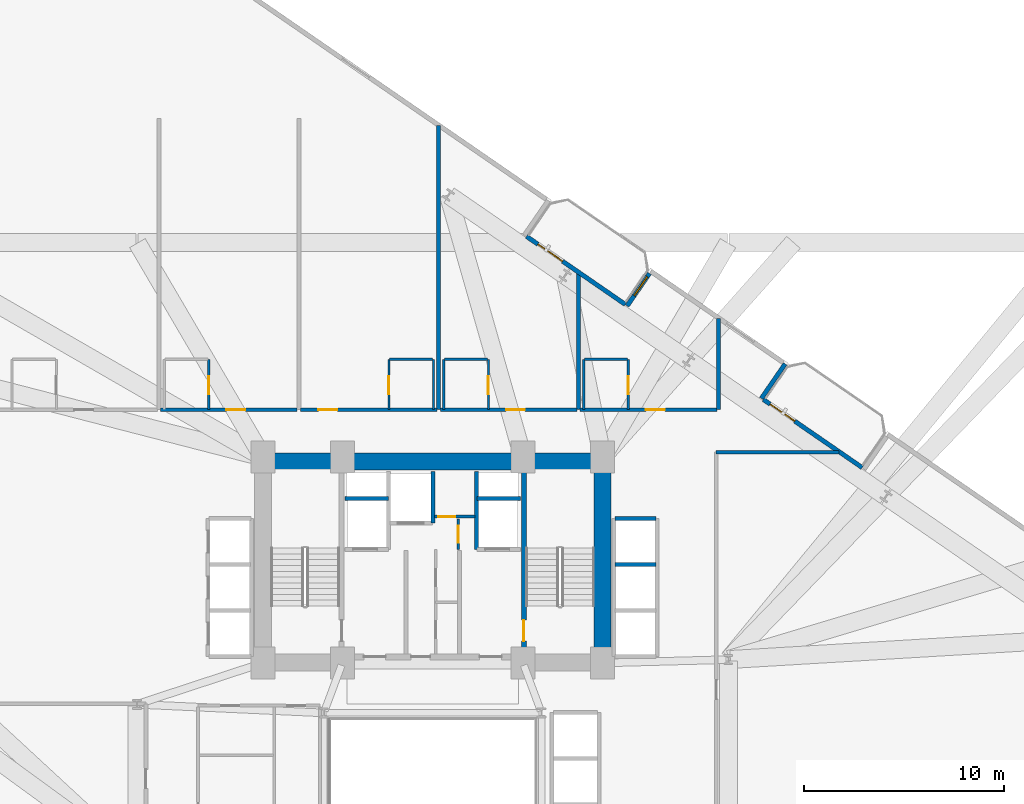
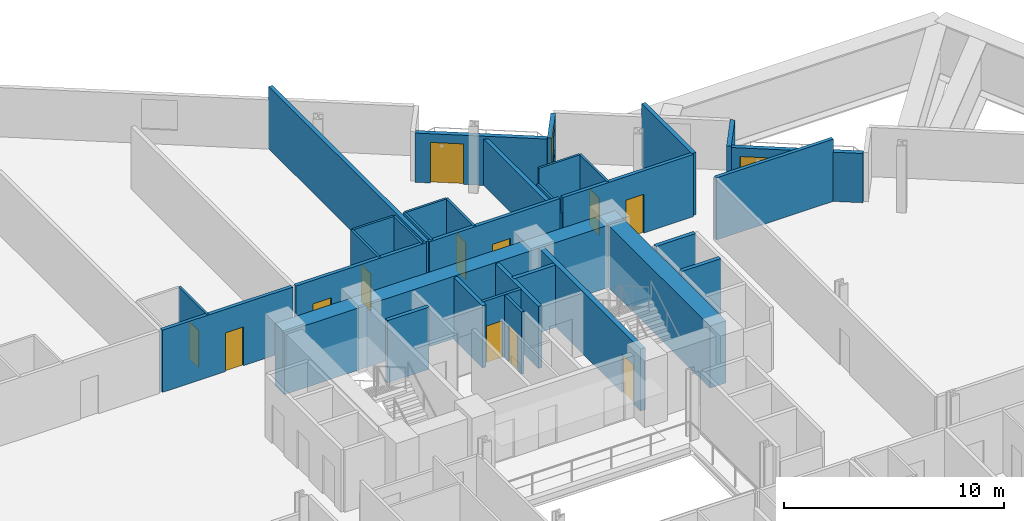
# One storey, part 21 of 26: 33 walls, 13 doors, 1 window, 14 openings.
"""IFC4 building model written with IfcOpenShell, lengths in metres."""

from ifc_helpers import new_model, si_unit, direction, frame, frame_2d, origin, place, context, subcontext, project, spatial, rectangle, extrude, material, layer, layer_set, type_object, element, fill, save


model = new_model("IFC4")

# Units and contexts
model_context = context("Model", 3, precision=1e-05, world=origin(), true_north=direction((0.0, 1.0)))
body_context = subcontext(model_context, "Body", "Model", "MODEL_VIEW")
ifc_project = project(units=[si_unit("LENGTHUNIT", "METRE"), si_unit("AREAUNIT", "SQUARE_METRE"), si_unit("VOLUMEUNIT", "CUBIC_METRE"), si_unit("PLANEANGLEUNIT", "RADIAN"), si_unit("MASSUNIT", "GRAM", prefix="KILO")], contexts=[model_context])

# Site, building, storey
site_placement = place(None, origin())
site = spatial("IfcSite", under=ifc_project, at=site_placement, CompositionType="ELEMENT")
building_placement = place(site_placement, origin())
building = spatial("IfcBuilding", under=site, at=building_placement, Name="Varnelok Gate Tower", CompositionType="ELEMENT")
storey_placement = place(building_placement, frame((0.0, 0.0, 27.0)))
storey = spatial("IfcBuildingStorey", under=building, at=storey_placement, Name="L05", CompositionType="ELEMENT", Elevation=27.0)

# Wall, opening, door
ifc_material_1 = material(Name="Concrete C45/55", Category="concrete")
ifc_layer_1 = layer(ifc_material_1, 0.219970703125)
ifc_layer_set_1 = layer_set([ifc_layer_1], Name="Concrete C45/55")
wall_type_1 = type_object("IfcWallType", Name="EW-BALC-220", PredefinedType="SOLIDWALL", material=ifc_layer_set_1)
wall_1_placement = place(storey_placement, frame((43.898193359375, 50.1015625, 0.0), z_axis=(0.0, 0.0, 1.0), x_axis=(0.823534636215, -0.567265989598, 0.0)))
wall_1 = element("IfcWall", 1, at=wall_1_placement, inside=storey, type_object=wall_type_1, Name="L05 North Terrace Envelope Wall 3", PredefinedType="SOLIDWALL", context=body_context, shape_type="SweptSolid", body=[
    extrude(rectangle(XDim=6.0, YDim=0.219970703125, at=frame_2d((3.0, 0.0))), origin(), (0.0, 0.0, 1.0), 2.72998046875),
])
opening_1_placement = place(wall_1_placement, frame((0.696044921875, 0.0, 0.0)))
opening_1 = element("IfcOpeningElement", 2, at=opening_1_placement, cuts=wall_1, Name="Opening BD-1", PredefinedType="OPENING", context=body_context, shape_type="SweptSolid", body=[
    extrude(rectangle(XDim=1.5, YDim=2.25, at=frame_2d((0.75, 1.125))), frame((0.0, 0.119873046875, 0.0), z_axis=(0.0, -1.0, 0.0), x_axis=(1.0, 0.0, 0.0)), (0.0, 0.0, 1.0), 0.239990234375),
])
ifc_material_2 = material(Name="Anodized Aluminum Alloy 6063-T6", Category="aluminium")
door_type_1 = type_object("IfcDoorType", Name="DR-EXT-BALC1500", OperationType="NOTDEFINED", PredefinedType="DOOR", material=ifc_material_2)
door_1_placement = place(opening_1_placement, origin())
door_1 = element("IfcDoor", 3, at=door_1_placement, inside=storey, type_object=door_type_1, Name="L05 North Balcony Glazed Door 3", OperationType="SINGLE_SWING_RIGHT", OverallHeight=2.25, OverallWidth=1.5, PredefinedType="DOOR", context=body_context, shape_type="SweptSolid", body=[
    extrude(rectangle(XDim=1.5, YDim=2.25, at=frame_2d((0.75, 1.125))), frame((0.0, 0.02490234375, 0.0), z_axis=(0.0, -1.0, 0.0), x_axis=(1.0, 0.0, 0.0)), (0.0, 0.0, 1.0), 0.050048828125),
])
fill(opening_1, door_1)

wall_2_placement = place(storey_placement, frame((55.757080078125, 41.932861328125, 0.0), z_axis=(0.0, 0.0, 1.0), x_axis=(0.823534636215, -0.567265989598, 0.0)))
wall_2 = element("IfcWall", 4, at=wall_2_placement, inside=storey, type_object=wall_type_1, Name="L05 North Terrace Envelope Wall 4", PredefinedType="SOLIDWALL", context=body_context, shape_type="SweptSolid", body=[
    extrude(rectangle(XDim=6.0, YDim=0.219970703125, at=frame_2d((3.0, 0.0))), origin(), (0.0, 0.0, 1.0), 2.72998046875),
])
opening_2_placement = place(wall_2_placement, frame((0.39990234375, 0.0, 0.0)))
opening_2 = element("IfcOpeningElement", 5, at=opening_2_placement, cuts=wall_2, Name="Opening BD-1", PredefinedType="OPENING", context=body_context, shape_type="SweptSolid", body=[
    extrude(rectangle(XDim=1.5, YDim=2.25, at=frame_2d((0.75, 1.125))), frame((0.0, 0.119873046875, 0.0), z_axis=(0.0, -1.0, 0.0), x_axis=(1.0, 0.0, 0.0)), (0.0, 0.0, 1.0), 0.239990234375),
])
door_2_placement = place(opening_2_placement, origin())
door_2 = element("IfcDoor", 6, at=door_2_placement, inside=storey, type_object=door_type_1, Name="L05 North Balcony Glazed Door 4", OperationType="SINGLE_SWING_LEFT", OverallHeight=2.25, OverallWidth=1.5, PredefinedType="DOOR", context=body_context, shape_type="SweptSolid", body=[
    extrude(rectangle(XDim=1.5, YDim=2.25, at=frame_2d((0.75, 1.125))), frame((0.0, 0.02490234375, 0.0), z_axis=(0.0, -1.0, 0.0), x_axis=(1.0, 0.0, 0.0)), (0.0, 0.0, 1.0), 0.050048828125),
])
fill(opening_2, door_2)

# Wall
wall_3_placement = place(storey_placement, frame((55.652587890625, 41.99267578125, 0.0), z_axis=(0.0, 0.0, 1.0), x_axis=(0.567273696173, 0.823529327729, 0.0)))
element("IfcWall", 7, at=wall_3_placement, inside=storey, type_object=wall_type_1, Name="L05 Perimeter Facade Closure Wall 28", PredefinedType="SOLIDWALL", context=body_context, shape_type="SweptSolid", body=[
    extrude(rectangle(XDim=2.099853515625, YDim=0.219970703125, at=frame_2d((1.0498046875, 0.0))), origin(), (0.0, 0.0, 1.0), 2.72998046875),
])

# Wall, opening, window
wall_4_placement = place(storey_placement, frame((50.052978515625, 48.248046875, 0.0), z_axis=(0.0, 0.0, 1.0), x_axis=(-0.567273565974, -0.823529417415, 0.0)))
wall_4 = element("IfcWall", 8, at=wall_4_placement, inside=storey, type_object=wall_type_1, Name="L05 Perimeter Facade Closure Wall 30", PredefinedType="SOLIDWALL", context=body_context, shape_type="SweptSolid", body=[
    extrude(rectangle(XDim=1.97509765625, YDim=0.219970703125, at=frame_2d((0.987548828125, 0.0))), origin(), (0.0, 0.0, 1.0), 2.72998046875),
])
opening_3_placement = place(wall_4_placement, frame((0.199951171875, 0.0, 0.800048828125)))
opening_3 = element("IfcOpeningElement", 9, at=opening_3_placement, cuts=wall_4, Name="Opening WN8", PredefinedType="OPENING", context=body_context, shape_type="SweptSolid", body=[
    extrude(rectangle(XDim=1.14990234375, YDim=1.39990234375, at=frame_2d((0.574951171875, 0.699951171875))), frame((0.0, 0.119873046875, 0.0), z_axis=(0.0, -1.0, 0.0), x_axis=(1.0, 0.0, 0.0)), (0.0, 0.0, 1.0), 0.239990234375),
])
ifc_material_3 = material(Name="Low-E Laminated Double Glazing IGU", Category="glass")
window_type = type_object("IfcWindowType", Name="WN-BED-1150", PartitioningType="SINGLE_PANEL", PredefinedType="WINDOW", material=ifc_material_3)
window_placement = place(opening_3_placement, origin())
window = element("IfcWindow", 10, at=window_placement, inside=storey, type_object=window_type, Name="L05 Bedroom Vision Window 2", OverallHeight=1.39990234375, OverallWidth=1.14990234375, PartitioningType="SINGLE_PANEL", PredefinedType="WINDOW", context=body_context, shape_type="SweptSolid", body=[
    extrude(rectangle(XDim=1.14990234375, YDim=1.39990234375, at=frame_2d((0.574951171875, 0.699951171875))), frame((0.0, 0.030029296875, 0.0), z_axis=(0.0, -1.0, 0.0), x_axis=(1.0, 0.0, 0.0)), (0.0, 0.0, 1.0), 0.06005859375),
])
fill(opening_3, window)

# Wall, opening, door
ifc_material_4 = material(Name="Gypsum Plasterboard Acoustic Partition", Category="gypsum")
ifc_layer_2 = layer(ifc_material_4, 0.179931640625)
ifc_layer_set_2 = layer_set([ifc_layer_2], Name="Gypsum Plasterboard Acoustic Partition")
wall_type_2 = type_object("IfcWallType", Name="PW-CORR-180", PredefinedType="PARTITIONING", material=ifc_layer_set_2)
wall_5_placement = place(storey_placement, frame((25.580078125, 41.429931640625, 0.0), z_axis=(0.0, 0.0, 1.0), x_axis=(1.0, 0.0, 0.0)))
wall_5 = element("IfcWall", 11, at=wall_5_placement, inside=storey, type_object=wall_type_2, Name="Interior Partition", PredefinedType="PARTITIONING", context=body_context, shape_type="SweptSolid", body=[
    extrude(rectangle(XDim=6.83984375, YDim=0.179931640625, at=frame_2d((3.419921875, 0.0))), origin(), (0.0, 0.0, 1.0), 3.449951171875),
])
opening_4_placement = place(wall_5_placement, frame((3.2900390625, 0.0, 0.0)))
opening_4 = element("IfcOpeningElement", 12, at=opening_4_placement, cuts=wall_5, Name="Opening D-HT", PredefinedType="OPENING", context=body_context, shape_type="SweptSolid", body=[
    extrude(rectangle(XDim=0.949951171875, YDim=2.14990234375, at=frame_2d((0.47509765625, 1.074951171875))), frame((0.0, 0.099853515625, 0.0), z_axis=(0.0, -1.0, 0.0), x_axis=(1.0, 0.0, 0.0)), (0.0, 0.0, 1.0), 0.199951171875),
])
ifc_material_5 = material(Name="Engineered Hardwood Timber", Category="wood")
door_type_2 = type_object("IfcDoorType", Name="DR-HTL-950", OperationType="NOTDEFINED", PredefinedType="DOOR", material=ifc_material_5)
door_3_placement = place(opening_4_placement, origin())
door_3 = element("IfcDoor", 13, at=door_3_placement, inside=storey, type_object=door_type_2, Name="L05 Guest Room 14 Entrance Door", OperationType="SINGLE_SWING_LEFT", OverallHeight=2.14990234375, OverallWidth=0.949951171875, PredefinedType="DOOR", context=body_context, shape_type="SweptSolid", body=[
    extrude(rectangle(XDim=0.949951171875, YDim=2.14990234375, at=frame_2d((0.47509765625, 1.074951171875))), frame((0.0, 0.02490234375, 0.0), z_axis=(0.0, -1.0, 0.0), x_axis=(1.0, 0.0, 0.0)), (0.0, 0.0, 1.0), 0.050048828125),
])
fill(opening_4, door_3)

wall_6_placement = place(storey_placement, frame((32.580078125, 41.429931640625, 0.0), z_axis=(0.0, 0.0, 1.0), x_axis=(1.0, 0.0, 0.0)))
wall_6 = element("IfcWall", 14, at=wall_6_placement, inside=storey, type_object=wall_type_2, Name="Interior Partition", PredefinedType="PARTITIONING", context=body_context, shape_type="SweptSolid", body=[
    extrude(rectangle(XDim=6.83984375, YDim=0.179931640625, at=frame_2d((3.419921875, 0.0))), origin(), (0.0, 0.0, 1.0), 3.449951171875),
])
opening_5_placement = place(wall_6_placement, frame((0.89990234375, 0.0, 0.0)))
opening_5 = element("IfcOpeningElement", 15, at=opening_5_placement, cuts=wall_6, Name="Opening D-HT", PredefinedType="OPENING", context=body_context, shape_type="SweptSolid", body=[
    extrude(rectangle(XDim=0.949951171875, YDim=2.14990234375, at=frame_2d((0.47509765625, 1.074951171875))), frame((0.0, 0.099853515625, 0.0), z_axis=(0.0, -1.0, 0.0), x_axis=(1.0, 0.0, 0.0)), (0.0, 0.0, 1.0), 0.199951171875),
])
door_4_placement = place(opening_5_placement, origin())
door_4 = element("IfcDoor", 16, at=door_4_placement, inside=storey, type_object=door_type_2, Name="L05 Guest Room 15 Entrance Door", OperationType="SINGLE_SWING_RIGHT", OverallHeight=2.14990234375, OverallWidth=0.949951171875, PredefinedType="DOOR", context=body_context, shape_type="SweptSolid", body=[
    extrude(rectangle(XDim=0.949951171875, YDim=2.14990234375, at=frame_2d((0.47509765625, 1.074951171875))), frame((0.0, 0.02490234375, 0.0), z_axis=(0.0, -1.0, 0.0), x_axis=(1.0, 0.0, 0.0)), (0.0, 0.0, 1.0), 0.050048828125),
])
fill(opening_5, door_4)

wall_7_placement = place(storey_placement, frame((39.580078125, 41.429931640625, 0.0), z_axis=(0.0, 0.0, 1.0), x_axis=(1.0, 0.0, 0.0)))
wall_7 = element("IfcWall", 17, at=wall_7_placement, inside=storey, type_object=wall_type_2, Name="Interior Partition", PredefinedType="PARTITIONING", context=body_context, shape_type="SweptSolid", body=[
    extrude(rectangle(XDim=6.83984375, YDim=0.179931640625, at=frame_2d((3.419921875, 0.0))), origin(), (0.0, 0.0, 1.0), 3.449951171875),
])
opening_6_placement = place(wall_7_placement, frame((3.2900390625, 0.0, 0.0)))
opening_6 = element("IfcOpeningElement", 18, at=opening_6_placement, cuts=wall_7, Name="Opening D-HT", PredefinedType="OPENING", context=body_context, shape_type="SweptSolid", body=[
    extrude(rectangle(XDim=0.949951171875, YDim=2.14990234375, at=frame_2d((0.47509765625, 1.074951171875))), frame((0.0, 0.099853515625, 0.0), z_axis=(0.0, -1.0, 0.0), x_axis=(1.0, 0.0, 0.0)), (0.0, 0.0, 1.0), 0.199951171875),
])
door_5_placement = place(opening_6_placement, origin())
door_5 = element("IfcDoor", 19, at=door_5_placement, inside=storey, type_object=door_type_2, Name="L05 Guest Room 16 Entrance Door", OperationType="SINGLE_SWING_LEFT", OverallHeight=2.14990234375, OverallWidth=0.949951171875, PredefinedType="DOOR", context=body_context, shape_type="SweptSolid", body=[
    extrude(rectangle(XDim=0.949951171875, YDim=2.14990234375, at=frame_2d((0.47509765625, 1.074951171875))), frame((0.0, 0.02490234375, 0.0), z_axis=(0.0, -1.0, 0.0), x_axis=(1.0, 0.0, 0.0)), (0.0, 0.0, 1.0), 0.050048828125),
])
fill(opening_6, door_5)

wall_8_placement = place(storey_placement, frame((46.580078125, 41.429931640625, 0.0), z_axis=(0.0, 0.0, 1.0), x_axis=(1.0, 0.0, 0.0)))
wall_8 = element("IfcWall", 20, at=wall_8_placement, inside=storey, type_object=wall_type_2, Name="Interior Partition", PredefinedType="PARTITIONING", context=body_context, shape_type="SweptSolid", body=[
    extrude(rectangle(XDim=6.83984375, YDim=0.179931640625, at=frame_2d((3.419921875, 0.0))), origin(), (0.0, 0.0, 1.0), 3.449951171875),
])
opening_7_placement = place(wall_8_placement, frame((3.2900390625, 0.0, 0.0)))
opening_7 = element("IfcOpeningElement", 21, at=opening_7_placement, cuts=wall_8, Name="Opening D-HT", PredefinedType="OPENING", context=body_context, shape_type="SweptSolid", body=[
    extrude(rectangle(XDim=0.949951171875, YDim=2.14990234375, at=frame_2d((0.47509765625, 1.074951171875))), frame((0.0, 0.099853515625, 0.0), z_axis=(0.0, -1.0, 0.0), x_axis=(1.0, 0.0, 0.0)), (0.0, 0.0, 1.0), 0.199951171875),
])
door_6_placement = place(opening_7_placement, origin())
door_6 = element("IfcDoor", 22, at=door_6_placement, inside=storey, type_object=door_type_2, Name="L05 Guest Room 17 Entrance Door", OperationType="SINGLE_SWING_RIGHT", OverallHeight=2.14990234375, OverallWidth=0.949951171875, PredefinedType="DOOR", context=body_context, shape_type="SweptSolid", body=[
    extrude(rectangle(XDim=0.949951171875, YDim=2.14990234375, at=frame_2d((0.47509765625, 1.074951171875))), frame((0.0, 0.02490234375, 0.0), z_axis=(0.0, -1.0, 0.0), x_axis=(1.0, 0.0, 0.0)), (0.0, 0.0, 1.0), 0.050048828125),
])
fill(opening_7, door_6)

# Wall
wall_9_placement = place(storey_placement, frame((53.389892578125, 39.300048828125, 0.0), z_axis=(0.0, 0.0, 1.0), x_axis=(1.0, 0.0, 0.0)))
element("IfcWall", 23, at=wall_9_placement, inside=storey, type_object=wall_type_2, Name="Interior Partition", PredefinedType="PARTITIONING", context=body_context, shape_type="SweptSolid", body=[
    extrude(rectangle(XDim=6.136474609375, YDim=0.179931640625, at=frame_2d((3.068359375, 0.0))), origin(), (0.0, 0.0, 1.0), 3.449951171875),
])

# Wall, opening, door
ifc_layer_3 = layer(ifc_material_4, 0.114990234375)
ifc_layer_set_3 = layer_set([ifc_layer_3], Name="Gypsum Plasterboard Acoustic Partition")
wall_type_3 = type_object("IfcWallType", Name="PW-ENS-125", PredefinedType="PARTITIONING", material=ifc_layer_set_3)
wall_10_placement = place(storey_placement, frame((27.989990234375, 41.429931640625, 0.0), z_axis=(0.0, 0.0, 1.0), x_axis=(0.0, 1.0, 0.0)))
wall_10 = element("IfcWall", 24, at=wall_10_placement, inside=storey, type_object=wall_type_3, Name="Interior Partition", PredefinedType="PARTITIONING", context=body_context, shape_type="SweptSolid", body=[
    extrude(rectangle(XDim=2.52001953125, YDim=0.114990234375, at=frame_2d((1.260009765625, 0.0))), origin(), (0.0, 0.0, 1.0), 3.449951171875),
])
opening_8_placement = place(wall_10_placement, frame((0.760009765625, 0.0, 0.0)))
opening_8 = element("IfcOpeningElement", 25, at=opening_8_placement, cuts=wall_10, Name="Opening D-WC", PredefinedType="OPENING", context=body_context, shape_type="SweptSolid", body=[
    extrude(rectangle(XDim=0.89990234375, YDim=2.050048828125, at=frame_2d((0.449951171875, 1.02490234375))), frame((0.0, 0.0673828125, 0.0), z_axis=(0.0, -1.0, 0.0), x_axis=(1.0, 0.0, 0.0)), (0.0, 0.0, 1.0), 0.135009765625),
])
door_type_3 = type_object("IfcDoorType", Name="DR-BATH-900", OperationType="NOTDEFINED", PredefinedType="DOOR", material=ifc_material_5)
door_7_placement = place(opening_8_placement, origin())
door_7 = element("IfcDoor", 26, at=door_7_placement, inside=storey, type_object=door_type_3, Name="L05 North En-Suite 14 Door", OperationType="SINGLE_SWING_RIGHT", OverallHeight=2.050048828125, OverallWidth=0.89990234375, PredefinedType="DOOR", context=body_context, shape_type="SweptSolid", body=[
    extrude(rectangle(XDim=0.89990234375, YDim=2.050048828125, at=frame_2d((0.449951171875, 1.02490234375))), frame((0.0, 0.02490234375, 0.0), z_axis=(0.0, -1.0, 0.0), x_axis=(1.0, 0.0, 0.0)), (0.0, 0.0, 1.0), 0.050048828125),
])
fill(opening_8, door_7)

# Wall
wall_11_placement = place(storey_placement, frame((37.050048828125, 43.949951171875, 0.0), z_axis=(0.0, 0.0, 1.0), x_axis=(1.0, 0.0, 0.0)))
element("IfcWall", 27, at=wall_11_placement, inside=storey, type_object=wall_type_3, Name="Interior Partition", PredefinedType="PARTITIONING", context=body_context, shape_type="SweptSolid", body=[
    extrude(rectangle(XDim=2.14990234375, YDim=0.114990234375, at=frame_2d((1.074951171875, 0.0))), origin(), (0.0, 0.0, 1.0), 3.449951171875),
])

# Wall, opening, door
wall_12_placement = place(storey_placement, frame((37.010009765625, 41.429931640625, 0.0), z_axis=(0.0, 0.0, 1.0), x_axis=(0.0, 1.0, 0.0)))
wall_12 = element("IfcWall", 28, at=wall_12_placement, inside=storey, type_object=wall_type_3, Name="Interior Partition", PredefinedType="PARTITIONING", context=body_context, shape_type="SweptSolid", body=[
    extrude(rectangle(XDim=2.52001953125, YDim=0.114990234375, at=frame_2d((1.260009765625, 0.0))), origin(), (0.0, 0.0, 1.0), 3.449951171875),
])
opening_9_placement = place(wall_12_placement, frame((0.760009765625, 0.0, 0.0)))
opening_9 = element("IfcOpeningElement", 29, at=opening_9_placement, cuts=wall_12, Name="Opening D-WC", PredefinedType="OPENING", context=body_context, shape_type="SweptSolid", body=[
    extrude(rectangle(XDim=0.89990234375, YDim=2.050048828125, at=frame_2d((0.449951171875, 1.02490234375))), frame((0.0, 0.0673828125, 0.0), z_axis=(0.0, -1.0, 0.0), x_axis=(1.0, 0.0, 0.0)), (0.0, 0.0, 1.0), 0.135009765625),
])
door_8_placement = place(opening_9_placement, origin())
door_8 = element("IfcDoor", 30, at=door_8_placement, inside=storey, type_object=door_type_3, Name="L05 North En-Suite 15 Door", OperationType="SINGLE_SWING_LEFT", OverallHeight=2.050048828125, OverallWidth=0.89990234375, PredefinedType="DOOR", context=body_context, shape_type="SweptSolid", body=[
    extrude(rectangle(XDim=0.89990234375, YDim=2.050048828125, at=frame_2d((0.449951171875, 1.02490234375))), frame((0.0, 0.02490234375, 0.0), z_axis=(0.0, -1.0, 0.0), x_axis=(1.0, 0.0, 0.0)), (0.0, 0.0, 1.0), 0.050048828125),
])
fill(opening_9, door_8)

# Walls
wall_13_placement = place(storey_placement, frame((39.239990234375, 41.429931640625, 0.0), z_axis=(0.0, 0.0, 1.0), x_axis=(0.0, 1.0, 0.0)))
element("IfcWall", 31, at=wall_13_placement, inside=storey, type_object=wall_type_3, Name="Interior Partition", PredefinedType="PARTITIONING", context=body_context, shape_type="SweptSolid", body=[
    extrude(rectangle(XDim=2.52001953125, YDim=0.114990234375, at=frame_2d((1.260009765625, 0.0))), origin(), (0.0, 0.0, 1.0), 3.449951171875),
])
wall_14_placement = place(storey_placement, frame((39.800048828125, 43.949951171875, 0.0), z_axis=(0.0, 0.0, 1.0), x_axis=(1.0, 0.0, 0.0)))
element("IfcWall", 32, at=wall_14_placement, inside=storey, type_object=wall_type_3, Name="Interior Partition", PredefinedType="PARTITIONING", context=body_context, shape_type="SweptSolid", body=[
    extrude(rectangle(XDim=2.14990234375, YDim=0.114990234375, at=frame_2d((1.074951171875, 0.0))), origin(), (0.0, 0.0, 1.0), 3.449951171875),
])

# Wall, opening, door
wall_15_placement = place(storey_placement, frame((41.989990234375, 41.429931640625, 0.0), z_axis=(0.0, 0.0, 1.0), x_axis=(0.0, 1.0, 0.0)))
wall_15 = element("IfcWall", 33, at=wall_15_placement, inside=storey, type_object=wall_type_3, Name="Interior Partition", PredefinedType="PARTITIONING", context=body_context, shape_type="SweptSolid", body=[
    extrude(rectangle(XDim=2.52001953125, YDim=0.114990234375, at=frame_2d((1.260009765625, 0.0))), origin(), (0.0, 0.0, 1.0), 3.449951171875),
])
opening_10_placement = place(wall_15_placement, frame((0.760009765625, 0.0, 0.0)))
opening_10 = element("IfcOpeningElement", 34, at=opening_10_placement, cuts=wall_15, Name="Opening D-WC", PredefinedType="OPENING", context=body_context, shape_type="SweptSolid", body=[
    extrude(rectangle(XDim=0.89990234375, YDim=2.050048828125, at=frame_2d((0.449951171875, 1.02490234375))), frame((0.0, 0.0673828125, 0.0), z_axis=(0.0, -1.0, 0.0), x_axis=(1.0, 0.0, 0.0)), (0.0, 0.0, 1.0), 0.135009765625),
])
door_9_placement = place(opening_10_placement, origin())
door_9 = element("IfcDoor", 35, at=door_9_placement, inside=storey, type_object=door_type_3, Name="L05 North En-Suite 16 Door", OperationType="SINGLE_SWING_RIGHT", OverallHeight=2.050048828125, OverallWidth=0.89990234375, PredefinedType="DOOR", context=body_context, shape_type="SweptSolid", body=[
    extrude(rectangle(XDim=0.89990234375, YDim=2.050048828125, at=frame_2d((0.449951171875, 1.02490234375))), frame((0.0, 0.02490234375, 0.0), z_axis=(0.0, -1.0, 0.0), x_axis=(1.0, 0.0, 0.0)), (0.0, 0.0, 1.0), 0.050048828125),
])
fill(opening_10, door_9)

# Walls
wall_16_placement = place(storey_placement, frame((39.760009765625, 41.429931640625, 0.0), z_axis=(0.0, 0.0, 1.0), x_axis=(0.0, 1.0, 0.0)))
element("IfcWall", 36, at=wall_16_placement, inside=storey, type_object=wall_type_3, Name="Interior Partition", PredefinedType="PARTITIONING", context=body_context, shape_type="SweptSolid", body=[
    extrude(rectangle(XDim=2.52001953125, YDim=0.114990234375, at=frame_2d((1.260009765625, 0.0))), origin(), (0.0, 0.0, 1.0), 3.449951171875),
])
wall_17_placement = place(storey_placement, frame((46.800048828125, 43.949951171875, 0.0), z_axis=(0.0, 0.0, 1.0), x_axis=(1.0, 0.0, 0.0)))
element("IfcWall", 37, at=wall_17_placement, inside=storey, type_object=wall_type_3, Name="Interior Partition", PredefinedType="PARTITIONING", context=body_context, shape_type="SweptSolid", body=[
    extrude(rectangle(XDim=2.14990234375, YDim=0.114990234375, at=frame_2d((1.074951171875, 0.0))), origin(), (0.0, 0.0, 1.0), 3.449951171875),
])

# Wall, opening, door
wall_18_placement = place(storey_placement, frame((48.989990234375, 41.429931640625, 0.0), z_axis=(0.0, 0.0, 1.0), x_axis=(0.0, 1.0, 0.0)))
wall_18 = element("IfcWall", 38, at=wall_18_placement, inside=storey, type_object=wall_type_3, Name="Interior Partition", PredefinedType="PARTITIONING", context=body_context, shape_type="SweptSolid", body=[
    extrude(rectangle(XDim=2.52001953125, YDim=0.114990234375, at=frame_2d((1.260009765625, 0.0))), origin(), (0.0, 0.0, 1.0), 3.449951171875),
])
opening_11_placement = place(wall_18_placement, frame((0.760009765625, 0.0, 0.0)))
opening_11 = element("IfcOpeningElement", 39, at=opening_11_placement, cuts=wall_18, Name="Opening D-WC", PredefinedType="OPENING", context=body_context, shape_type="SweptSolid", body=[
    extrude(rectangle(XDim=0.89990234375, YDim=2.050048828125, at=frame_2d((0.449951171875, 1.02490234375))), frame((0.0, 0.0673828125, 0.0), z_axis=(0.0, -1.0, 0.0), x_axis=(1.0, 0.0, 0.0)), (0.0, 0.0, 1.0), 0.135009765625),
])
door_10_placement = place(opening_11_placement, origin())
door_10 = element("IfcDoor", 40, at=door_10_placement, inside=storey, type_object=door_type_3, Name="L05 North En-Suite 17 Door", OperationType="SINGLE_SWING_RIGHT", OverallHeight=2.050048828125, OverallWidth=0.89990234375, PredefinedType="DOOR", context=body_context, shape_type="SweptSolid", body=[
    extrude(rectangle(XDim=0.89990234375, YDim=2.050048828125, at=frame_2d((0.449951171875, 1.02490234375))), frame((0.0, 0.02490234375, 0.0), z_axis=(0.0, -1.0, 0.0), x_axis=(1.0, 0.0, 0.0)), (0.0, 0.0, 1.0), 0.050048828125),
])
fill(opening_11, door_10)

# Wall
wall_19_placement = place(storey_placement, frame((46.760009765625, 41.429931640625, 0.0), z_axis=(0.0, 0.0, 1.0), x_axis=(0.0, 1.0, 0.0)))
element("IfcWall", 41, at=wall_19_placement, inside=storey, type_object=wall_type_3, Name="Interior Partition", PredefinedType="PARTITIONING", context=body_context, shape_type="SweptSolid", body=[
    extrude(rectangle(XDim=2.52001953125, YDim=0.114990234375, at=frame_2d((1.260009765625, 0.0))), origin(), (0.0, 0.0, 1.0), 2.580078125),
])

# Wall, opening, door
ifc_layer_4 = layer(ifc_material_4, 0.14990234375)
ifc_layer_set_4 = layer_set([ifc_layer_4], Name="Gypsum Plasterboard Acoustic Partition")
wall_type_4 = type_object("IfcWallType", Name="PW-PART-150", PredefinedType="PARTITIONING", material=ifc_layer_set_4)
wall_20_placement = place(storey_placement, frame((39.300048828125, 36.080078125, 0.0), z_axis=(0.0, 0.0, 1.0), x_axis=(1.0, 0.0, 0.0)))
wall_20 = element("IfcWall", 42, at=wall_20_placement, inside=storey, type_object=wall_type_4, Name="L05 Electrical Closet South Wall", PredefinedType="PARTITIONING", context=body_context, shape_type="SweptSolid", body=[
    extrude(rectangle(XDim=2.02001953125, YDim=0.14990234375, at=frame_2d((1.010009765625, 0.0))), origin(), (0.0, 0.0, 1.0), 3.449951171875),
])
opening_12_placement = place(wall_20_placement, frame((0.179931640625, 0.0, 0.0)))
opening_12 = element("IfcOpeningElement", 43, at=opening_12_placement, cuts=wall_20, Name="Opening D-RS", PredefinedType="OPENING", context=body_context, shape_type="SweptSolid", body=[
    extrude(rectangle(XDim=0.85009765625, YDim=2.050048828125, at=frame_2d((0.425048828125, 1.02490234375))), frame((0.0, 0.0849609375, 0.0), z_axis=(0.0, -1.0, 0.0), x_axis=(1.0, 0.0, 0.0)), (0.0, 0.0, 1.0), 0.169921875),
])
ifc_material_6 = material(Name="Galvanized Steel Grade S350GD", Category="steel")
door_type_4 = type_object("IfcDoorType", Name="DR-RISER-850", OperationType="NOTDEFINED", PredefinedType="DOOR", material=ifc_material_6)
door_11_placement = place(opening_12_placement, origin())
door_11 = element("IfcDoor", 44, at=door_11_placement, inside=storey, type_object=door_type_4, Name="L05 Electrical Closet Door", OperationType="SINGLE_SWING_RIGHT", OverallHeight=2.050048828125, OverallWidth=0.85009765625, PredefinedType="DOOR", context=body_context, shape_type="SweptSolid", body=[
    extrude(rectangle(XDim=0.85009765625, YDim=2.050048828125, at=frame_2d((0.425048828125, 1.02490234375))), frame((0.0, 0.02490234375, 0.0), z_axis=(0.0, -1.0, 0.0), x_axis=(1.0, 0.0, 0.0)), (0.0, 0.0, 1.0), 0.050048828125),
])
fill(opening_12, door_11)

wall_21_placement = place(storey_placement, frame((40.47998046875, 34.43994140625, 0.0), z_axis=(0.0, 0.0, 1.0), x_axis=(0.0, 1.0, 0.0)))
wall_21 = element("IfcWall", 45, at=wall_21_placement, inside=storey, type_object=wall_type_4, Name="L05 Telecoms Closet West Wall", PredefinedType="PARTITIONING", context=body_context, shape_type="SweptSolid", body=[
    extrude(rectangle(XDim=1.52001953125, YDim=0.14990234375, at=frame_2d((0.760009765625, 0.0))), origin(), (0.0, 0.0, 1.0), 3.449951171875),
])
opening_13_placement = place(wall_21_placement, frame((0.320068359375, 0.0, 0.0)))
opening_13 = element("IfcOpeningElement", 46, at=opening_13_placement, cuts=wall_21, Name="Opening D-RS", PredefinedType="OPENING", context=body_context, shape_type="SweptSolid", body=[
    extrude(rectangle(XDim=0.85009765625, YDim=2.050048828125, at=frame_2d((0.425048828125, 1.02490234375))), frame((0.0, 0.0849609375, 0.0), z_axis=(0.0, -1.0, 0.0), x_axis=(1.0, 0.0, 0.0)), (0.0, 0.0, 1.0), 0.169921875),
])
door_12_placement = place(opening_13_placement, origin())
door_12 = element("IfcDoor", 47, at=door_12_placement, inside=storey, type_object=door_type_4, Name="L05 Telecoms Closet Door", OperationType="SINGLE_SWING_LEFT", OverallHeight=2.050048828125, OverallWidth=0.85009765625, PredefinedType="DOOR", context=body_context, shape_type="SweptSolid", body=[
    extrude(rectangle(XDim=0.85009765625, YDim=2.050048828125, at=frame_2d((0.425048828125, 1.02490234375))), frame((0.0, 0.02490234375, 0.0), z_axis=(0.0, -1.0, 0.0), x_axis=(1.0, 0.0, 0.0)), (0.0, 0.0, 1.0), 0.050048828125),
])
fill(opening_13, door_12)

# Walls
ifc_layer_5 = layer(ifc_material_4, 0.205078125)
ifc_layer_set_5 = layer_set([ifc_layer_5], Name="Gypsum Plasterboard Acoustic Partition")
wall_type_5 = type_object("IfcWallType", Name="PW-PARTY-200", PredefinedType="PARTITIONING", material=ifc_layer_set_5)
wall_22_placement = place(storey_placement, frame((39.5, 41.429931640625, 0.0), z_axis=(0.0, 0.0, 1.0), x_axis=(0.0, 1.0, 0.0)))
element("IfcWall", 48, at=wall_22_placement, inside=storey, type_object=wall_type_5, Name="L05 North Party Wall 3", PredefinedType="PARTITIONING", context=body_context, shape_type="SweptSolid", body=[
    extrude(rectangle(XDim=14.21484375, YDim=0.205078125, at=frame_2d((7.107421875, 0.0))), origin(), (0.0, 0.0, 1.0), 3.449951171875),
])
wall_23_placement = place(storey_placement, frame((46.5, 41.429931640625, 0.0), z_axis=(0.0, 0.0, 1.0), x_axis=(0.0, 1.0, 0.0)))
element("IfcWall", 49, at=wall_23_placement, inside=storey, type_object=wall_type_5, Name="L05 North Party Wall 4", PredefinedType="PARTITIONING", context=body_context, shape_type="SweptSolid", body=[
    extrude(rectangle(XDim=6.843017578125, YDim=0.205078125, at=frame_2d((3.42138671875, 0.0))), origin(), (0.0, 0.0, 1.0), 2.580078125),
])
wall_24_placement = place(storey_placement, frame((53.5, 41.429931640625, 0.0), z_axis=(0.0, 0.0, 1.0), x_axis=(0.0, 1.0, 0.0)))
element("IfcWall", 50, at=wall_24_placement, inside=storey, type_object=wall_type_5, Name="L05 North Party Wall 5", PredefinedType="PARTITIONING", context=body_context, shape_type="SweptSolid", body=[
    extrude(rectangle(XDim=4.5712890625, YDim=0.205078125, at=frame_2d((2.28564453125, 0.0))), origin(), (0.0, 0.0, 1.0), 3.449951171875),
])
ifc_material_7 = material(Name="Concrete C35/45", Category="concrete")
ifc_layer_6 = layer(ifc_material_7, 0.199951171875)
ifc_layer_set_6 = layer_set([ifc_layer_6], Name="Concrete C35/45")
wall_type_6 = type_object("IfcWallType", Name="PW-SHAFT-200", PredefinedType="PARTITIONING", material=ifc_layer_set_6)
wall_25_placement = place(storey_placement, frame((34.800048828125, 36.97998046875, 0.0), z_axis=(0.0, 0.0, 1.0), x_axis=(1.0, 0.0, 0.0)))
element("IfcWall", 51, at=wall_25_placement, inside=storey, type_object=wall_type_6, Name="L05 FF1 Shaft North Wall", PredefinedType="PARTITIONING", context=body_context, shape_type="SweptSolid", body=[
    extrude(rectangle(XDim=2.179931640625, YDim=0.199951171875, at=frame_2d((1.08984375, 0.0))), origin(), (0.0, 0.0, 1.0), 3.449951171875),
])
wall_26_placement = place(storey_placement, frame((41.419921875, 36.97998046875, 0.0), z_axis=(0.0, 0.0, 1.0), x_axis=(1.0, 0.0, 0.0)))
element("IfcWall", 52, at=wall_26_placement, inside=storey, type_object=wall_type_6, Name="L05 FF2 Shaft North Wall", PredefinedType="PARTITIONING", context=body_context, shape_type="SweptSolid", body=[
    extrude(rectangle(XDim=2.18017578125, YDim=0.199951171875, at=frame_2d((1.090087890625, 0.0))), origin(), (0.0, 0.0, 1.0), 3.449951171875),
])
wall_27_placement = place(storey_placement, frame((41.39990234375, 34.43994140625, 0.0), z_axis=(0.0, 0.0, 1.0), x_axis=(0.0, 1.0, 0.0)))
element("IfcWall", 53, at=wall_27_placement, inside=storey, type_object=wall_type_6, Name="L05 FF2 Shaft Side Wall", PredefinedType="PARTITIONING", context=body_context, shape_type="SweptSolid", body=[
    extrude(rectangle(XDim=3.900146484375, YDim=0.199951171875, at=frame_2d((1.9501953125, 0.0))), origin(), (0.0, 0.0, 1.0), 3.449951171875),
])
wall_28_placement = place(storey_placement, frame((39.219970703125, 35.75, 0.0), z_axis=(0.0, 0.0, 1.0), x_axis=(0.0, 1.0, 0.0)))
element("IfcWall", 54, at=wall_28_placement, inside=storey, type_object=wall_type_6, Name="L05 SV1 Shaft East Wall", PredefinedType="PARTITIONING", context=body_context, shape_type="SweptSolid", body=[
    extrude(rectangle(XDim=2.590087890625, YDim=0.199951171875, at=frame_2d((1.294921875, 0.0))), origin(), (0.0, 0.0, 1.0), 3.449951171875),
])
for number, where, z_axis, x_axis, name in (
    (55, (48.320068359375, 33.675048828125, 0.0), (0.0, 0.0, 1.0), (1.0, 0.0, 0.0), "L05 PM2 Divider"),
    (56, (48.320068359375, 35.969970703125, 0.0), (0.0, 0.0, 1.0), (1.0, 0.0, 0.0), "L05 PM Bank North Wall"),
):
    element("IfcWall", number, at=place(storey_placement, frame(where, z_axis=z_axis, x_axis=x_axis)), inside=storey, type_object=wall_type_6, Name=name, PredefinedType="PARTITIONING", context=body_context, shape_type="SweptSolid", body=[
        extrude(rectangle(XDim=2.059814453125, YDim=0.199951171875, at=frame_2d((1.02978515625, 0.0))), origin(), (0.0, 0.0, 1.0), 3.449951171875),
    ])
ifc_material_8 = material(Name="Concrete C70/85", Category="concrete")
ifc_layer_7 = layer(ifc_material_8, 0.85009765625)
ifc_layer_set_7 = layer_set([ifc_layer_7], Name="Concrete C70/85")
wall_type_7 = type_object("IfcWallType", Name="SW-CORE-850", PredefinedType="SHEAR", material=ifc_layer_set_7)
wall_29_placement = place(storey_placement, frame((30.280029296875, 38.844970703125, 0.0), z_axis=(0.0, 0.0, 1.0), x_axis=(1.0, 0.0, 0.0)))
element("IfcWall", 57, at=wall_29_placement, inside=storey, type_object=wall_type_7, Name="L05 Rear Core North Shear Wall", PredefinedType="SHEAR", context=body_context, shape_type="SweptSolid", body=[
    extrude(rectangle(XDim=17.840087890625, YDim=0.85009765625, at=frame_2d((8.919921875, 0.0))), origin(), (0.0, 0.0, 1.0), 3.449951171875),
])
wall_30_placement = place(storey_placement, frame((47.695068359375, 29.199951171875, 0.0), z_axis=(0.0, 0.0, 1.0), x_axis=(0.0, 1.0, 0.0)))
element("IfcWall", 58, at=wall_30_placement, inside=storey, type_object=wall_type_7, Name="L05 Rear Core East Shear Wall", PredefinedType="SHEAR", context=body_context, shape_type="SweptSolid", body=[
    extrude(rectangle(XDim=9.219970703125, YDim=0.85009765625, at=frame_2d((4.60986328125, 0.0))), origin(), (0.0, 0.0, 1.0), 3.449951171875),
])

# Wall, opening, door
ifc_material_9 = material(Name="Concrete C60/75", Category="concrete")
ifc_layer_8 = layer(ifc_material_9, 0.25)
ifc_layer_set_8 = layer_set([ifc_layer_8], Name="Concrete C60/75")
wall_type_8 = type_object("IfcWallType", Name="SW-SHAFT-250", PredefinedType="SHEAR", material=ifc_layer_set_8)
wall_31_placement = place(storey_placement, frame((43.760009765625, 29.199951171875, 0.0), z_axis=(0.0, 0.0, 1.0), x_axis=(0.0, 1.0, 0.0)))
wall_31 = element("IfcWall", 59, at=wall_31_placement, inside=storey, type_object=wall_type_8, Name="L05 Stair ST-2 West Shear Wall", PredefinedType="SHEAR", context=body_context, shape_type="SweptSolid", body=[
    extrude(rectangle(XDim=9.219970703125, YDim=0.25, at=frame_2d((4.60986328125, 0.0))), origin(), (0.0, 0.0, 1.0), 3.449951171875),
])
opening_14_placement = place(wall_31_placement, frame((0.64990234375, 0.0, 0.0)))
opening_14 = element("IfcOpeningElement", 60, at=opening_14_placement, cuts=wall_31, Name="Opening D-ST", PredefinedType="OPENING", context=body_context, shape_type="SweptSolid", body=[
    extrude(rectangle(XDim=1.050048828125, YDim=2.14990234375, at=frame_2d((0.52490234375, 1.074951171875))), frame((0.0, 0.135009765625, 0.0), z_axis=(0.0, -1.0, 0.0), x_axis=(1.0, 0.0, 0.0)), (0.0, 0.0, 1.0), 0.27001953125),
])
door_type_5 = type_object("IfcDoorType", Name="DR-STAIR-1050", OperationType="NOTDEFINED", PredefinedType="DOOR", material=ifc_material_6)
door_13_placement = place(opening_14_placement, origin())
door_13 = element("IfcDoor", 61, at=door_13_placement, inside=storey, type_object=door_type_5, Name="L05 Exit Stair ST-2 Fire Door", OperationType="SINGLE_SWING_RIGHT", OverallHeight=2.14990234375, OverallWidth=1.050048828125, PredefinedType="DOOR", context=body_context, shape_type="SweptSolid", body=[
    extrude(rectangle(XDim=1.050048828125, YDim=2.14990234375, at=frame_2d((0.52490234375, 1.074951171875))), frame((0.0, 0.02490234375, 0.0), z_axis=(0.0, -1.0, 0.0), x_axis=(1.0, 0.0, 0.0)), (0.0, 0.0, 1.0), 0.050048828125),
])
fill(opening_14, door_13)

save(model, "model.ifc")
